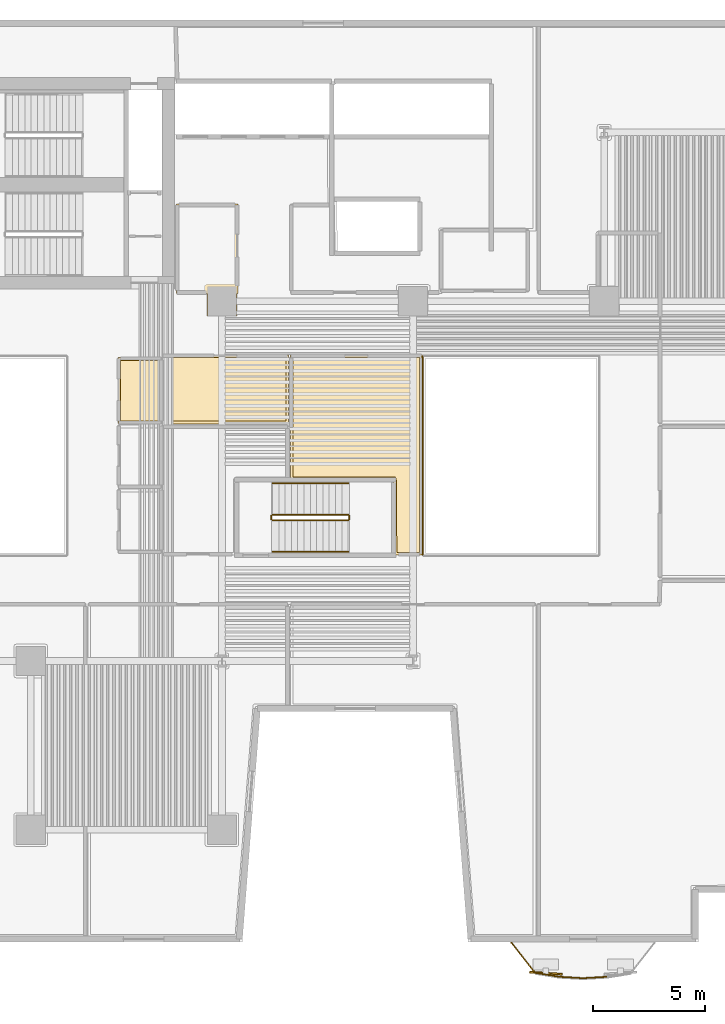
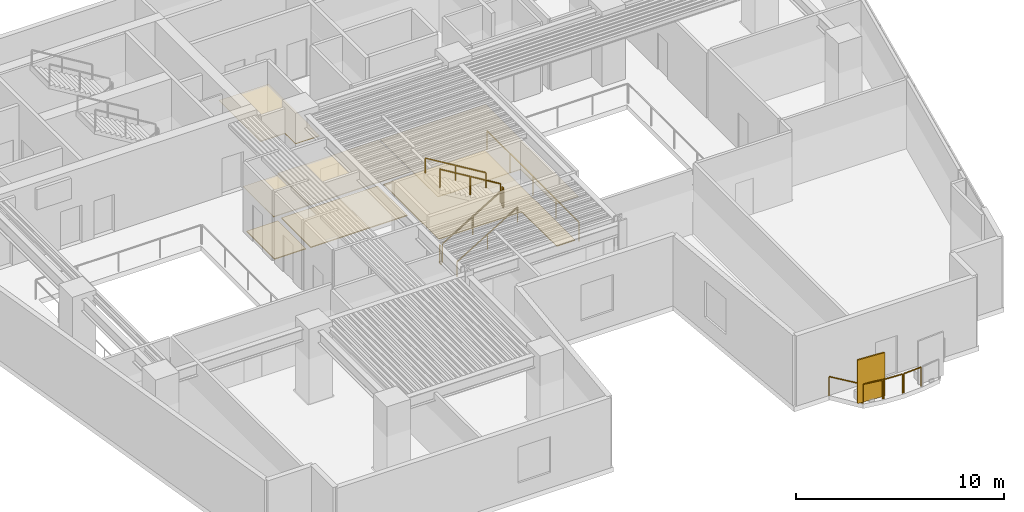
# One storey, part 9 of 12: 11 railings, 7 coverings, 1 shading device.
"""IFC4 building model written with IfcOpenShell, lengths in metres."""

import ifcopenshell
import ifcopenshell.guid

model = None  # the IFC model being written
_history = None  # IfcOwnerHistory: only IFC2X3 demands one
_inside = {}  # id of a spatial element -> (the spatial element, [elements in it])
_under = {}  # id of a project, library or spatial element -> (it, [spatial elements below it])
_declared = {}  # id of a project -> (the project, [libraries it declares])
_typed = {}  # id of a type object -> (the type object, [elements of that type])
_made_of = {}  # id of a material, layer set ... -> (it, [elements and type objects made of it])


def new_model(schema):
    """Start an empty IFC model of exactly this schema.

    Asked for "IFC4X3", IfcOpenShell would pick the latest addendum, in which some entities
    have other attributes; the version numbers below select the first issue.
    IFC2X3 requires an IfcOwnerHistory on every rooted entity: one is made here for all.
    """
    global model, _history
    if schema == "IFC4X3":
        model = ifcopenshell.file(schema_version=(4, 3, 0, 0))
    else:
        model = ifcopenshell.file(schema=schema)
    _inside.clear()
    _under.clear()
    _declared.clear()
    _typed.clear()
    _made_of.clear()
    _history = None
    if model.schema == "IFC2X3":
        org = make("IfcOrganization", Name="unknown")
        user = make(
            "IfcPersonAndOrganization",
            ThePerson=make("IfcPerson", FamilyName="unknown"),
            TheOrganization=org,
        )
        app = make(
            "IfcApplication",
            ApplicationDeveloper=org,
            Version="unknown",
            ApplicationFullName="unknown",
            ApplicationIdentifier="unknown",
        )
        _history = make(
            "IfcOwnerHistory",
            OwningUser=user,
            OwningApplication=app,
            ChangeAction="ADDED",
            CreationDate=0,
        )
    return model


def make(cls, **values):
    """One entity of the class cls with the attributes given. An attribute that is None is left unset."""
    return model.create_entity(
        cls, **{name: value for name, value in values.items() if value is not None}
    )


def rooted(cls, **values):
    """An entity with a GlobalId (a new one), such as an element, a storey or a relation."""
    return make(cls, GlobalId=ifcopenshell.guid.new(), OwnerHistory=_history, **values)


def si_unit(unit_type, name, prefix=None):
    """IfcSIUnit, for example si_unit("LENGTHUNIT", "METRE", prefix="MILLI")."""
    return make("IfcSIUnit", UnitType=unit_type, Prefix=prefix, Name=name)


def assignment(units):
    """IfcUnitAssignment: the units of a project."""
    return None if units is None else make("IfcUnitAssignment", Units=units)


def point(xyz):
    """IfcCartesianPoint."""
    return None if xyz is None else make("IfcCartesianPoint", Coordinates=xyz)


def direction(xyz):
    """IfcDirection."""
    return None if xyz is None else make("IfcDirection", DirectionRatios=xyz)


def frame(location, z_axis=None, x_axis=None):
    """IfcAxis2Placement3D, a coordinate frame: its origin and axes. An axis left out is left unset."""
    return make(
        "IfcAxis2Placement3D",
        Location=point(location),
        Axis=direction(z_axis),
        RefDirection=direction(x_axis),
    )


def frame_2d(location, x_axis=None):
    """IfcAxis2Placement2D, a coordinate frame in the plane: its origin and x axis."""
    return make(
        "IfcAxis2Placement2D", Location=point(location), RefDirection=direction(x_axis)
    )


def origin():
    """The frame at (0, 0, 0) with its axes left unset."""
    return frame((0.0, 0.0, 0.0))


def origin_2d():
    """The frame at (0, 0) in the plane with its x axis left unset."""
    return frame_2d((0.0, 0.0))


def place(relative_to, where):
    """IfcLocalPlacement: puts the frame where relative to a parent placement (None: the world)."""
    return make(
        "IfcLocalPlacement", PlacementRelTo=relative_to, RelativePlacement=where
    )


def context(
    kind, dimensions, precision=None, world=None, true_north=None, identifier=None
):
    """IfcGeometricRepresentationContext, for example the 3D "Model" context."""
    return make(
        "IfcGeometricRepresentationContext",
        ContextIdentifier=identifier,
        ContextType=kind,
        CoordinateSpaceDimension=dimensions,
        Precision=precision,
        WorldCoordinateSystem=world,
        TrueNorth=true_north,
    )


def subcontext(parent, identifier, kind, view, scale=None):
    """IfcGeometricRepresentationSubContext, for example "Body" below "Model"."""
    return make(
        "IfcGeometricRepresentationSubContext",
        ContextIdentifier=identifier,
        ContextType=kind,
        ParentContext=parent,
        TargetScale=scale,
        TargetView=view,
    )


def project(units=None, contexts=None):
    """IfcProject with its units and contexts."""
    return rooted(
        "IfcProject",
        Name="project",
        RepresentationContexts=contexts,
        UnitsInContext=assignment(units),
    )


def spatial(cls, under=None, at=None, **own):
    """A site, building, storey or space (cls), placed at a placement, below another one or the project."""
    s = rooted(cls, ObjectPlacement=at, **own)
    if under is not None:
        _under.setdefault(under.id(), (under, []))[1].append(s)
    return s


def polyline(points):
    """IfcPolyline through the points."""
    return make("IfcPolyline", Points=[point(p) for p in points])


def profile(cls, at=None, kind="AREA", **sizes):
    """A parametric profile (cls). Its sizes go by their IFC names, for example OverallWidth=200.0."""
    return make(cls, ProfileType=kind, Position=at, **sizes)


def rectangle(**sizes):
    """IfcRectangleProfileDef."""
    return profile("IfcRectangleProfileDef", **sizes)


def outline(outer, holes=None, kind="AREA"):
    """IfcArbitraryClosedProfileDef: a profile drawn as a closed curve; with holes, ...WithVoids."""
    if holes is None:
        return make("IfcArbitraryClosedProfileDef", ProfileType=kind, OuterCurve=outer)
    return make(
        "IfcArbitraryProfileDefWithVoids",
        ProfileType=kind,
        OuterCurve=outer,
        InnerCurves=holes,
    )


def extrude(swept, where, along, depth):
    """IfcExtrudedAreaSolid: the profile swept, set in the frame where, extruded along a direction by depth."""
    return make(
        "IfcExtrudedAreaSolid",
        SweptArea=swept,
        Position=where,
        ExtrudedDirection=direction(along),
        Depth=depth,
    )


def shape(context_of_items, identifier, shape_type, items):
    """IfcShapeRepresentation: the items that make up one representation, for example the "Body"."""
    return make(
        "IfcShapeRepresentation",
        ContextOfItems=context_of_items,
        RepresentationIdentifier=identifier,
        RepresentationType=shape_type,
        Items=items,
    )


def material(Name=None, Category=None):
    """IfcMaterial."""
    return make("IfcMaterial", Name=Name, Category=Category)


def layer(
    of_material, thickness, ventilated=None, Name=None, Category=None, Priority=None
):
    """IfcMaterialLayer: one layer of a wall or slab, of a material (None: an air gap)."""
    return make(
        "IfcMaterialLayer",
        Material=of_material,
        LayerThickness=thickness,
        IsVentilated=ventilated,
        Name=Name,
        Category=Category,
        Priority=Priority,
    )


def layer_set(layers, Name=None):
    """IfcMaterialLayerSet."""
    return make("IfcMaterialLayerSet", MaterialLayers=layers, LayerSetName=Name)


def made_of(thing, what):
    """Note that an element or type object is made of a material, layer set ...; save() writes the relation."""
    if what is not None:
        _made_of.setdefault(what.id(), (what, []))[1].append(thing)
    return thing


def type_object(cls, material=None, **own):
    """A type object (cls), such as IfcWallType, which elements share."""
    return made_of(rooted(cls, **own), material)


def element(
    cls,
    number,
    at=None,
    inside=None,
    cuts=None,
    type_object=None,
    material=None,
    context=None,
    identifier="Body",
    shape_type=None,
    held_by="IfcProductDefinitionShape",
    body=None,
    shapes=None,
    **own,
):
    """One element of the class cls, such as IfcWall. Its Tag is "e" and its number.

    at: its placement. inside: the storey or other place that contains it. cuts: it is an
    opening in that element (IfcRelVoidsElement). A single representation is given by context,
    identifier, shape_type and body (its items); several are given by shapes. held_by: the class
    of the entity that holds the representations. save() writes the other relations.
    """
    e = rooted(cls, Tag="e%d" % number, ObjectPlacement=at, **own)
    if body is not None:
        shapes = [shape(context, identifier, shape_type, body)]
    if shapes is not None:
        e.Representation = make(held_by, Representations=shapes)
    if inside is not None:
        _inside.setdefault(inside.id(), (inside, []))[1].append(e)
    if cuts is not None:
        rooted(
            "IfcRelVoidsElement", RelatingBuildingElement=cuts, RelatedOpeningElement=e
        )
    if type_object is not None:
        _typed.setdefault(type_object.id(), (type_object, []))[1].append(e)
    return made_of(e, material)


def aggregate(whole, parts):
    """IfcRelAggregates: a whole, such as a stair, and the parts it consists of."""
    return rooted("IfcRelAggregates", RelatingObject=whole, RelatedObjects=parts)


def save(model, path):
    """Write the relations noted so far, then the file.

    IfcRelAggregates (storeys below a building ...), IfcRelContainedInSpatialStructure (elements
    in a storey), IfcRelDefinesByType, IfcRelAssociatesMaterial and IfcRelDeclares: one each for
    every whole, place, type object, material and project.
    """
    for whole, parts in _under.values():
        aggregate(whole, parts)
    for where, things in _inside.values():
        rooted(
            "IfcRelContainedInSpatialStructure",
            RelatedElements=things,
            RelatingStructure=where,
        )
    for kind, things in _typed.values():
        rooted("IfcRelDefinesByType", RelatedObjects=things, RelatingType=kind)
    for what, things in _made_of.values():
        rooted("IfcRelAssociatesMaterial", RelatedObjects=things, RelatingMaterial=what)
    for by, libraries in _declared.values():
        rooted("IfcRelDeclares", RelatingContext=by, RelatedDefinitions=libraries)
    model.write(path)


model = new_model("IFC4")

# Units and contexts
model_context = context("Model", 3, precision=1e-05, world=origin(), true_north=direction((0.0, 1.0)))
body_context = subcontext(model_context, "Body", "Model", "MODEL_VIEW")
ifc_project = project(units=[si_unit("LENGTHUNIT", "METRE"), si_unit("AREAUNIT", "SQUARE_METRE"), si_unit("VOLUMEUNIT", "CUBIC_METRE"), si_unit("PLANEANGLEUNIT", "RADIAN"), si_unit("MASSUNIT", "GRAM", prefix="KILO")], contexts=[model_context])

# Site, building, storey
site_placement = place(None, origin())
site = spatial("IfcSite", under=ifc_project, at=site_placement, CompositionType="ELEMENT")
building_placement = place(site_placement, origin())
building = spatial("IfcBuilding", under=site, at=building_placement, Name="Caeloran Harvest Quay", CompositionType="ELEMENT")
storey_placement = place(building_placement, frame((0.0, 0.0, 88.60009765625)))
storey = spatial("IfcBuildingStorey", under=building, at=storey_placement, Name="L20", CompositionType="ELEMENT", Elevation=88.60009765625)

# Coverings
ifc_material_1 = material(Name="Perforated Mineral-Fibre Acoustic Ceiling Tile", Category="ceiling")
ifc_layer_1 = layer(ifc_material_1, 0.0400390625, Name="Perforated Mineral-Fibre Acoustic Ceiling Tile")
ifc_layer_set_1 = layer_set([ifc_layer_1], Name="Perforated Mineral-Fibre Acoustic Ceiling Tile")
covering_type_1 = type_object("IfcCoveringType", Name="COV-CEILING-ACOUSTIC", PredefinedType="CEILING", material=ifc_layer_set_1)
covering_1_placement = place(storey_placement, frame((0.0, 0.0, 2.599853515625)))
element("IfcCovering", 1, at=covering_1_placement, inside=storey, type_object=covering_type_1, Name="L20 Male Washroom WC Acoustic Ceiling", PredefinedType="CEILING", context=body_context, shape_type="SweptSolid", body=[
    extrude(outline(polyline([(22.840087890625, 25.56005859375), (20.8701171875, 25.56005859375), (20.8701171875, 28.489990234375), (22.840087890625, 28.489990234375), (22.840087890625, 25.56005859375)])), origin(), (0.0, 0.0, 1.0), 0.0400390625),
])
covering_2_placement = place(storey_placement, frame((0.0, 0.0, 2.599853515625)))
element("IfcCovering", 2, at=covering_2_placement, inside=storey, type_object=covering_type_1, Name="Culinary Harvest Tasting Kitchen 8 Acoustic Ceiling", PredefinedType="CEILING", context=body_context, shape_type="SweptSolid", body=[
    extrude(outline(polyline([(28.5400390625, 28.610107421875), (34.409912109375, 28.610107421875), (34.409912109375, 19.7099609375), (33.160400390625, 19.7099609375), (33.13037109375, 23.06005859375), (28.5400390625, 23.06005859375), (28.5400390625, 28.610107421875)])), origin(), (0.0, 0.0, 1.0), 0.0400390625),
])
covering_3_placement = place(storey_placement, frame((0.0, 0.0, 2.599853515625)))
element("IfcCovering", 3, at=covering_3_placement, inside=storey, type_object=covering_type_1, Name="Botanical Workshop Studio 9 Acoustic Ceiling", PredefinedType="CEILING", context=body_context, shape_type="SweptSolid", body=[
    extrude(outline(polyline([(22.8701171875, 28.512939453125), (22.85009765625, 28.52001953125), (22.85009765625, 28.610107421875), (28.4599609375, 28.610107421875), (28.4599609375, 25.5400390625), (22.8701171875, 25.5400390625), (22.8701171875, 28.512939453125)])), origin(), (0.0, 0.0, 1.0), 0.0400390625),
])
covering_4_placement = place(storey_placement, frame((0.0, 0.0, 2.599853515625)))
element("IfcCovering", 4, at=covering_4_placement, inside=storey, type_object=covering_type_1, Name="Sensory Fermentation Kitchen 10 Acoustic Ceiling", PredefinedType="CEILING", context=body_context, shape_type="SweptSolid", body=[
    extrude(outline(polyline([(26.169921875, 30.330078125), (24.830078125, 30.330078125), (24.830078125, 31.340087890625), (23.469970703125, 31.340087890625), (23.469970703125, 35.32861328125), (23.521728515625, 35.31005859375), (26.2099609375, 35.31005859375), (26.2099609375, 31.340087890625), (26.169921875, 31.340087890625), (26.169921875, 30.330078125)])), origin(), (0.0, 0.0, 1.0), 0.0400390625),
])
ifc_material_2 = material(Name="Calcium-Sulphate Raised Access Floor and Terrazzo Finish", Category="flooring")
ifc_layer_2 = layer(ifc_material_2, 0.050048828125, Name="Calcium-Sulphate Raised Access Floor and Terrazzo Finish")
ifc_layer_set_2 = layer_set([ifc_layer_2], Name="Calcium-Sulphate Raised Access Floor and Terrazzo Finish")
covering_type_2 = type_object("IfcCoveringType", Name="COV-FLOOR-RAISED", PredefinedType="FLOORING", material=ifc_layer_set_2)
covering_5_placement = place(storey_placement, origin())
element("IfcCovering", 5, at=covering_5_placement, inside=storey, type_object=covering_type_2, Name="L20 Male Washroom WC Raised Finish Flooring", PredefinedType="FLOORING", context=body_context, shape_type="SweptSolid", body=[
    extrude(outline(polyline([(22.719970703125, 25.679931640625), (20.989990234375, 25.679931640625), (20.989990234375, 28.3701171875), (22.719970703125, 28.3701171875), (22.719970703125, 25.679931640625)])), origin(), (0.0, 0.0, 1.0), 0.0498046875),
])
covering_6_placement = place(storey_placement, origin())
element("IfcCovering", 6, at=covering_6_placement, inside=storey, type_object=covering_type_2, Name="Culinary Harvest Tasting Kitchen 8 Raised Finish Flooring", PredefinedType="FLOORING", context=body_context, shape_type="SweptSolid", body=[
    extrude(outline(polyline([(28.659912109375, 28.489990234375), (34.2900390625, 28.489990234375), (34.2900390625, 19.830078125), (33.279296875, 19.830078125), (33.25, 23.1005859375), (33.20751953125, 23.170654296875), (28.659912109375, 23.179931640625), (28.659912109375, 28.489990234375)])), origin(), (0.0, 0.0, 1.0), 0.0498046875),
])
covering_7_placement = place(storey_placement, origin())
element("IfcCovering", 7, at=covering_7_placement, inside=storey, type_object=covering_type_2, Name="Botanical Workshop Studio 9 Raised Finish Flooring", PredefinedType="FLOORING", context=body_context, shape_type="SweptSolid", body=[
    extrude(outline(polyline([(22.989990234375, 28.489990234375), (28.340087890625, 28.489990234375), (28.340087890625, 25.659912109375), (22.989990234375, 25.659912109375), (22.989990234375, 28.489990234375)])), origin(), (0.0, 0.0, 1.0), 0.0498046875),
])

# Railings
ifc_material_3 = material(Name="Powder-Coated Steel Post and Laminated Glass Guardrail", Category="steel")
ifc_layer_3 = layer(ifc_material_3, 0.06005859375, Name="Powder-Coated Steel Post and Laminated Glass Guardrail")
ifc_layer_set_3 = layer_set([ifc_layer_3], Name="Powder-Coated Steel Post and Laminated Glass Guardrail")
railing_type_1 = type_object("IfcRailingType", Name="GUARD-ATRIUM-1150", PredefinedType="GUARDRAIL", material=ifc_layer_set_3)
railing_1_placement = place(storey_placement, frame((34.429931640625, 28.5380859375, 0.0)))
element("IfcRailing", 8, at=railing_1_placement, inside=storey, type_object=railing_type_1, Name="L20 East Botanical Lightwell Guardrail Seg 4", PredefinedType="GUARDRAIL", context=body_context, shape_type="SweptSolid", body=[
    extrude(rectangle(XDim=0.048095703125, YDim=0.048095703125, at=origin_2d()), frame((0.0, 0.0, 1.1259765625), z_axis=(0.0, -1.0, 0.0), x_axis=(1.0, 0.0, 0.0)), (0.0, 0.0, 1.0), 8.826171875),
    extrude(rectangle(XDim=0.0419921875, YDim=0.0419921875, at=origin_2d()), origin(), (0.0, 0.0, 1.0), 1.101806640625),
    extrude(rectangle(XDim=0.0419921875, YDim=0.0419921875, at=origin_2d()), frame((0.0, -2.20654296875, 0.0)), (0.0, 0.0, 1.0), 1.101806640625),
    extrude(rectangle(XDim=0.0419921875, YDim=0.0419921875, at=origin_2d()), frame((0.0, -4.4130859375, 0.0)), (0.0, 0.0, 1.0), 1.101806640625),
    extrude(rectangle(XDim=0.0419921875, YDim=0.0419921875, at=origin_2d()), frame((0.0, -6.61962890625, 0.0)), (0.0, 0.0, 1.0), 1.101806640625),
    extrude(rectangle(XDim=0.0419921875, YDim=0.0419921875, at=origin_2d()), frame((0.0, -8.826171875, 0.0)), (0.0, 0.0, 1.0), 1.101806640625),
])
ifc_material_4 = material(Name="Laminated Safety Glass and Stainless Steel 316", Category="steel")
ifc_layer_4 = layer(ifc_material_4, 0.06005859375, Name="Laminated Safety Glass and Stainless Steel 316")
ifc_layer_set_4 = layer_set([ifc_layer_4], Name="Laminated Safety Glass and Stainless Steel 316")
railing_type_2 = type_object("IfcRailingType", Name="GUARD-BALUSTRADE-1150", PredefinedType="BALUSTRADE", material=ifc_layer_set_4)
railing_2_placement = place(storey_placement, frame((42.5908203125, 0.958251953125, 0.0)))
element("IfcRailing", 9, at=railing_2_placement, inside=storey, type_object=railing_type_2, Name="L20 Planted Balcony Perimeter Balustrade Guard Seg 3", PredefinedType="BALUSTRADE", context=body_context, shape_type="SweptSolid", body=[
    extrude(rectangle(XDim=0.048095703125, YDim=0.048095703125, at=origin_2d()), frame((0.0, 0.0, 1.1259765625), z_axis=(-0.998232119569, -0.059435977837, 0.0), x_axis=(0.059435977837, -0.998232119569, 0.0)), (0.0, 0.0, 1.0), 1.002197265625),
    extrude(rectangle(XDim=0.0419921875, YDim=0.0419921875, at=origin_2d()), origin(), (0.0, 0.0, 1.0), 1.101806640625),
    extrude(rectangle(XDim=0.0419921875, YDim=0.0419921875, at=origin_2d()), frame((-1.00048828125, -0.0595703125, 0.0)), (0.0, 0.0, 1.0), 1.101806640625),
])
railing_3_placement = place(storey_placement, frame((41.526611328125, 0.898681640625, 0.0)))
element("IfcRailing", 10, at=railing_3_placement, inside=storey, type_object=railing_type_2, Name="L20 Planted Balcony Perimeter Balustrade Guard Seg 4", PredefinedType="BALUSTRADE", context=body_context, shape_type="SweptSolid", body=[
    extrude(rectangle(XDim=0.048095703125, YDim=0.048095703125, at=origin_2d()), frame((0.0, 0.0, 1.1259765625), z_axis=(-0.998232119569, 0.059435977837, 0.0), x_axis=(-0.059435977837, -0.998232119569, 0.0)), (0.0, 0.0, 1.0), 1.002197265625),
    extrude(rectangle(XDim=0.0419921875, YDim=0.0419921875, at=origin_2d()), origin(), (0.0, 0.0, 1.0), 1.101806640625),
    extrude(rectangle(XDim=0.0419921875, YDim=0.0419921875, at=origin_2d()), frame((-1.00048828125, 0.0595703125, 0.0)), (0.0, 0.0, 1.0), 1.101806640625),
])
railing_4_placement = place(storey_placement, frame((40.462646484375, 0.96533203125, 0.0)))
element("IfcRailing", 11, at=railing_4_placement, inside=storey, type_object=railing_type_2, Name="L20 Planted Balcony Perimeter Balustrade Guard Seg 5", PredefinedType="BALUSTRADE", context=body_context, shape_type="SweptSolid", body=[
    extrude(rectangle(XDim=0.048095703125, YDim=0.048095703125, at=origin_2d()), frame((0.0, 0.0, 1.1259765625), z_axis=(-0.986979726228, 0.160844707763, 0.0), x_axis=(-0.160844707763, -0.986979726228, 0.0)), (0.0, 0.0, 1.0), 1.013916015625),
    extrude(rectangle(XDim=0.0419921875, YDim=0.0419921875, at=origin_2d()), origin(), (0.0, 0.0, 1.0), 1.101806640625),
    extrude(rectangle(XDim=0.0419921875, YDim=0.0419921875, at=origin_2d()), frame((-1.000732421875, 0.1630859375, 0.0)), (0.0, 0.0, 1.0), 1.101806640625),
])
railing_5_placement = place(storey_placement, frame((39.410400390625, 1.158447265625, 0.0)))
element("IfcRailing", 12, at=railing_5_placement, inside=storey, type_object=railing_type_2, Name="L20 Planted Balcony Perimeter Balustrade Guard Seg 6", PredefinedType="BALUSTRADE", context=body_context, shape_type="SweptSolid", body=[
    extrude(rectangle(XDim=0.048095703125, YDim=0.048095703125, at=origin_2d()), frame((0.0, 0.0, 1.1259765625), z_axis=(-0.620053053858, 0.784559883248, 0.0), x_axis=(-0.784559883248, -0.620053053858, 0.0)), (0.0, 0.0, 1.0), 1.684326171875),
    extrude(rectangle(XDim=0.0419921875, YDim=0.0419921875, at=origin_2d()), origin(), (0.0, 0.0, 1.0), 1.101806640625),
    extrude(rectangle(XDim=0.0419921875, YDim=0.0419921875, at=origin_2d()), frame((-1.04443359375, 1.321533203125, 0.0)), (0.0, 0.0, 1.0), 1.101806640625),
])

# Shading device
ifc_material_5 = material(Name="3003-H14 Perforated Powder-Coated Aluminium", Category="aluminium")
shading_device_type = type_object("IfcShadingDeviceType", Name="SHADE-SCREEN-FOLDED", PredefinedType="USERDEFINED", material=ifc_material_5)
shading_device_placement = place(storey_placement, frame((39.8984375, 1.121337890625, 0.07470703125), z_axis=(0.0, 0.0, 1.0), x_axis=(0.997801468292, -0.0662739004, 0.0)))
element("IfcShadingDevice", 13, at=shading_device_placement, inside=storey, type_object=shading_device_type, Name="L20 Folded Facade Breathing Screen 2", ObjectType="SCREEN", PredefinedType="USERDEFINED", context=body_context, shape_type="SweptSolid", body=[
    extrude(rectangle(XDim=1.449951171875, YDim=0.080078125, at=origin_2d()), origin(), (0.0, 0.0, 1.0), 2.550048828125),
])

# Railings
ifc_material_6 = material(Name="Painted Steel Baluster and Top-Rail Stair Guard", Category="steel")
ifc_layer_5 = layer(ifc_material_6, 0.050048828125, Name="Painted Steel Baluster and Top-Rail Stair Guard")
ifc_layer_set_5 = layer_set([ifc_layer_5], Name="Painted Steel Baluster and Top-Rail Stair Guard")
railing_type_3 = type_object("IfcRailingType", Name="STAIR-GUARD-1100", PredefinedType="GUARDRAIL", material=ifc_layer_set_5)
railing_6_placement = place(storey_placement, frame((27.75, 21.25, 0.169189453125)))
element("IfcRailing", 14, at=railing_6_placement, inside=storey, type_object=railing_type_3, Name="L20 ST-W1 stair guard 1", PredefinedType="GUARDRAIL", context=body_context, shape_type="SweptSolid", body=[
    extrude(rectangle(XDim=0.048095703125, YDim=0.048095703125, at=origin_2d()), frame((0.0, 0.0, 1.076171875), z_axis=(0.855836976705, 0.0, 0.517245656632), x_axis=(0.0, 1.0, 0.0)), (0.0, 0.0, 1.0), 3.926025390625),
    extrude(rectangle(XDim=0.0419921875, YDim=0.0419921875, at=origin_2d()), origin(), (0.0, 0.0, 1.0), 1.052001953125),
    extrude(rectangle(XDim=0.0419921875, YDim=0.0419921875, at=origin_2d()), frame((1.68017578125, 0.0, 1.015380859375)), (0.0, 0.0, 1.0), 1.052001953125),
    extrude(rectangle(XDim=0.0419921875, YDim=0.0419921875, at=origin_2d()), frame((3.360107421875, 0.0, 2.03076171875)), (0.0, 0.0, 1.0), 1.052001953125),
])
railing_7_placement = place(storey_placement, frame((31.159912109375, 21.300048828125, 2.199951171875)))
element("IfcRailing", 15, at=railing_7_placement, inside=storey, type_object=railing_type_3, Name="L20 ST-W1 stair guard 2", PredefinedType="GUARDRAIL", context=body_context, shape_type="SweptSolid", body=[
    extrude(rectangle(XDim=0.048095703125, YDim=0.048095703125, at=origin_2d()), frame((0.0, 0.0, 1.076171875), z_axis=(0.0, 1.0, 0.0), x_axis=(-1.0, 0.0, 0.0)), (0.0, 0.0, 1.0), 0.14990234375),
    extrude(rectangle(XDim=0.0419921875, YDim=0.0419921875, at=origin_2d()), origin(), (0.0, 0.0, 1.0), 1.052001953125),
    extrude(rectangle(XDim=0.0419921875, YDim=0.0419921875, at=origin_2d()), frame((0.0, 0.14990234375, 0.0)), (0.0, 0.0, 1.0), 1.052001953125),
])
railing_8_placement = place(storey_placement, frame((31.110107421875, 21.5, 2.369140625)))
element("IfcRailing", 16, at=railing_8_placement, inside=storey, type_object=railing_type_3, Name="L20 ST-W1 stair guard 3", PredefinedType="GUARDRAIL", context=body_context, shape_type="SweptSolid", body=[
    extrude(rectangle(XDim=0.048095703125, YDim=0.048095703125, at=origin_2d()), frame((0.0, 0.0, 1.076171875), z_axis=(-0.855836976705, 0.0, 0.517245656632), x_axis=(0.0, -1.0, 0.0)), (0.0, 0.0, 1.0), 3.926025390625),
    extrude(rectangle(XDim=0.0419921875, YDim=0.0419921875, at=origin_2d()), origin(), (0.0, 0.0, 1.0), 1.052001953125),
    extrude(rectangle(XDim=0.0419921875, YDim=0.0419921875, at=origin_2d()), frame((-1.68017578125, 0.0, 1.015380859375)), (0.0, 0.0, 1.0), 1.052001953125),
    extrude(rectangle(XDim=0.0419921875, YDim=0.0419921875, at=origin_2d()), frame((-3.360107421875, 0.0, 2.03076171875)), (0.0, 0.0, 1.0), 1.052001953125),
])
railing_9_placement = place(storey_placement, frame((27.699951171875, 21.300048828125, 0.0)))
element("IfcRailing", 17, at=railing_9_placement, inside=storey, type_object=railing_type_3, Name="L20 ST-W1 stair guard 4", PredefinedType="GUARDRAIL", context=body_context, shape_type="SweptSolid", body=[
    extrude(rectangle(XDim=0.048095703125, YDim=0.048095703125, at=origin_2d()), frame((0.0, 0.0, 1.076171875), z_axis=(0.0, 1.0, 0.0), x_axis=(-1.0, 0.0, 0.0)), (0.0, 0.0, 1.0), 0.14990234375),
    extrude(rectangle(XDim=0.0419921875, YDim=0.0419921875, at=origin_2d()), origin(), (0.0, 0.0, 1.0), 1.052001953125),
    extrude(rectangle(XDim=0.0419921875, YDim=0.0419921875, at=origin_2d()), frame((0.0, 0.14990234375, 0.0)), (0.0, 0.0, 1.0), 1.052001953125),
])
ifc_material_7 = material(Name="Brushed Stainless Steel Grade 304", Category="steel")
ifc_layer_6 = layer(ifc_material_7, 0.050048828125, Name="Brushed Stainless Steel Grade 304")
ifc_layer_set_6 = layer_set([ifc_layer_6], Name="Brushed Stainless Steel Grade 304")
railing_type_4 = type_object("IfcRailingType", Name="STAIR-HANDRAIL-900", PredefinedType="HANDRAIL", material=ifc_layer_set_6)
railing_10_placement = place(storey_placement, frame((27.75, 19.85009765625, 0.169189453125)))
element("IfcRailing", 18, at=railing_10_placement, inside=storey, type_object=railing_type_4, Name="L20 ST-W1 stair handrail 1", PredefinedType="HANDRAIL", context=body_context, shape_type="SweptSolid", body=[
    extrude(rectangle(XDim=0.048095703125, YDim=0.048095703125, at=origin_2d()), frame((0.0, 0.0, 0.8759765625), z_axis=(0.855836976705, 0.0, 0.517245656632), x_axis=(0.0, 1.0, 0.0)), (0.0, 0.0, 1.0), 3.926025390625),
    extrude(rectangle(XDim=0.0419921875, YDim=0.0419921875, at=origin_2d()), origin(), (0.0, 0.0, 1.0), 0.851806640625),
    extrude(rectangle(XDim=0.0419921875, YDim=0.0419921875, at=origin_2d()), frame((1.68017578125, 0.0, 1.015380859375)), (0.0, 0.0, 1.0), 0.851806640625),
    extrude(rectangle(XDim=0.0419921875, YDim=0.0419921875, at=origin_2d()), frame((3.360107421875, 0.0, 2.03076171875)), (0.0, 0.0, 1.0), 0.851806640625),
])
railing_11_placement = place(storey_placement, frame((31.110107421875, 22.89990234375, 2.369140625)))
element("IfcRailing", 19, at=railing_11_placement, inside=storey, type_object=railing_type_4, Name="L20 ST-W1 stair handrail 2", PredefinedType="HANDRAIL", context=body_context, shape_type="SweptSolid", body=[
    extrude(rectangle(XDim=0.048095703125, YDim=0.048095703125, at=origin_2d()), frame((0.0, 0.0, 0.8759765625), z_axis=(-0.855836976705, 0.0, 0.517245656632), x_axis=(0.0, -1.0, 0.0)), (0.0, 0.0, 1.0), 3.926025390625),
    extrude(rectangle(XDim=0.0419921875, YDim=0.0419921875, at=origin_2d()), origin(), (0.0, 0.0, 1.0), 0.851806640625),
    extrude(rectangle(XDim=0.0419921875, YDim=0.0419921875, at=origin_2d()), frame((-1.68017578125, 0.0, 1.015380859375)), (0.0, 0.0, 1.0), 0.851806640625),
    extrude(rectangle(XDim=0.0419921875, YDim=0.0419921875, at=origin_2d()), frame((-3.360107421875, 0.0, 2.03076171875)), (0.0, 0.0, 1.0), 0.851806640625),
])

save(model, "model.ifc")
